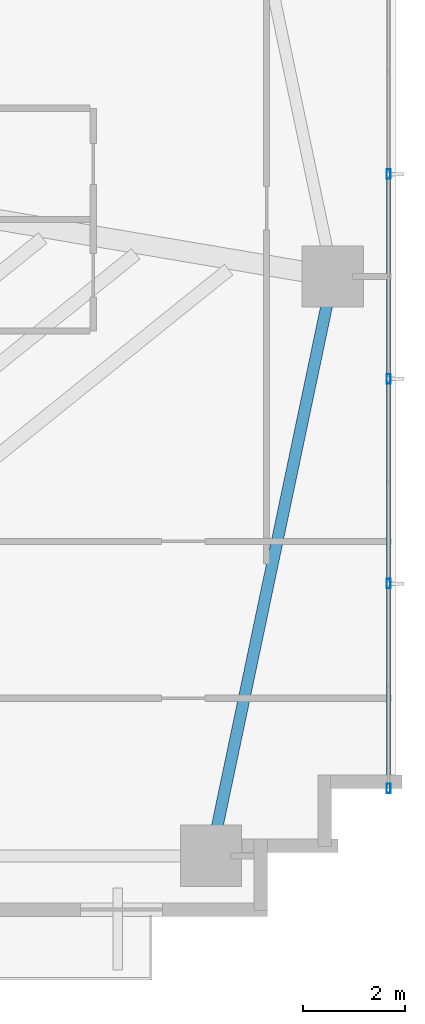
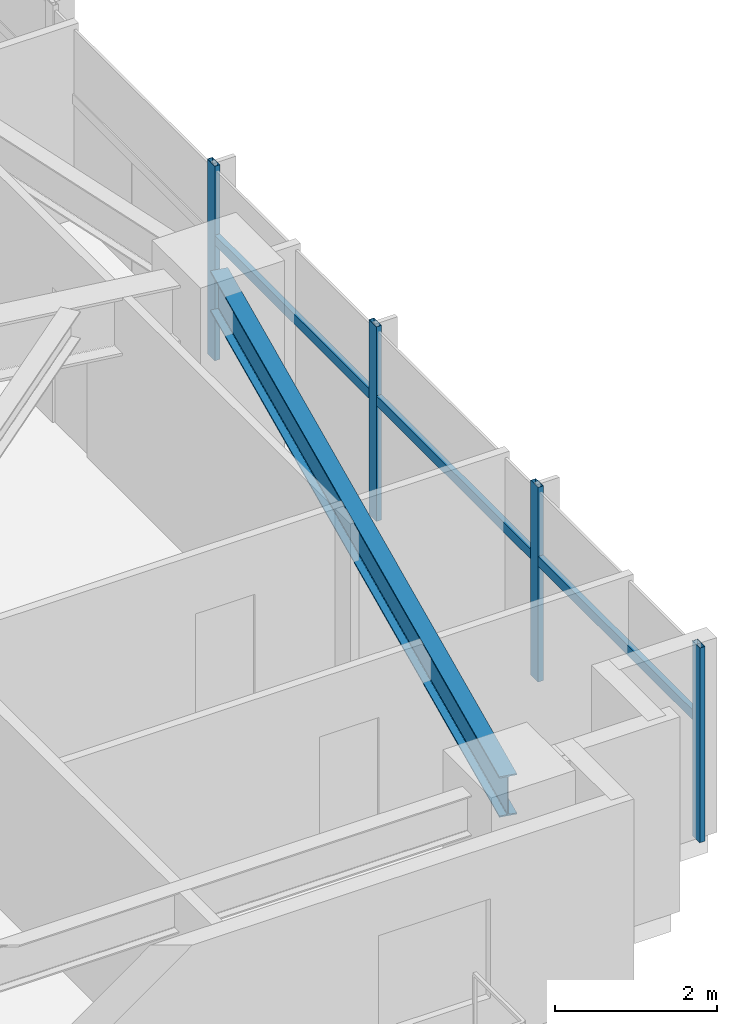
# One storey, part 14 of 25: 7 members, 1 beam, 1 element without a shape of its own.
"""IFC4 building model written with IfcOpenShell, lengths in metres."""

from ifc_helpers import new_model, si_unit, direction, frame, origin, origin_2d, place, context, subcontext, project, spatial, hollow_rectangle, i_section, extrude, source, transform, mapped, material, material_profile, profile_set, type_object, type_shapes, element, aggregate, save


model = new_model("IFC4")

# Units and contexts
model_context = context("Model", 3, precision=1e-05, world=origin(), true_north=direction((0.0, 1.0)))
body_context = subcontext(model_context, "Body", "Model", "MODEL_VIEW")
ifc_project = project(units=[si_unit("LENGTHUNIT", "METRE"), si_unit("AREAUNIT", "SQUARE_METRE"), si_unit("VOLUMEUNIT", "CUBIC_METRE"), si_unit("PLANEANGLEUNIT", "RADIAN"), si_unit("MASSUNIT", "GRAM", prefix="KILO")], contexts=[model_context])

# Site, building, storey
site_placement = place(None, origin())
site = spatial("IfcSite", under=ifc_project, at=site_placement, CompositionType="ELEMENT")
building_placement = place(site_placement, origin())
building = spatial("IfcBuilding", under=site, at=building_placement, Name="Astriad Promenade Condominiums", CompositionType="ELEMENT")
storey_placement = place(building_placement, frame((0.0, 0.0, 58.199951171875)))
storey = spatial("IfcBuildingStorey", under=building, at=storey_placement, Name="L16", CompositionType="ELEMENT", Elevation=58.199951171875)

# Beam
ifc_material_1 = material(Name="Steel ASTM A992 Grade 50", Category="steel")
ifc_material_profile_1 = material_profile(ifc_material_1, i_section(OverallWidth=0.22900390625, OverallDepth=0.612060546875, WebThickness=0.011962890625, FlangeThickness=0.01953125, FilletRadius=0.017822265625, at=origin_2d()), Name="W24X84")
ifc_profile_set_1 = profile_set([ifc_material_profile_1], Name="Steel ASTM A992 Grade 50")
beam_type = type_object("IfcBeamType", Name="STEEL SPANDREL BEAM W24X84", PredefinedType="SPANDREL", material=ifc_profile_set_1)
shared_shape_1 = source(origin(), body_context, "Body", "SweptSolid", [
    extrude(i_section(OverallWidth=0.22900390625, OverallDepth=0.612060546875, WebThickness=0.011962890625, FlangeThickness=0.01953125, FilletRadius=0.017822265625, at=origin_2d()), origin(), (0.0, 0.0, 1.0), 11.487548828125),
])
type_shapes(beam_type, [shared_shape_1])
beam_placement = place(storey_placement, frame((56.208251953125, 3.919189453125, 2.634033203125), z_axis=(0.205748055501, 0.978604995725, 0.0), x_axis=(-0.978604995725, 0.205748055501, 0.0)))
element("IfcBeam", 1, at=beam_placement, inside=storey, type_object=beam_type, Name="Perimeter Spandrel Beam SP-E1-L16", PredefinedType="SPANDREL", context=body_context, shape_type="MappedRepresentation", body=[
    mapped(shared_shape_1, transform((0.0, 0.0, 0.0), scale=1.0)),
])

# Curtain wall, members
ifc_material_2 = material(Name="Anodised aluminium Black Dark Glass Unitised", Category="aluminium")
curtain_wall_type = type_object("IfcCurtainWallType", Name="CW-B1-DARK", PredefinedType="USERDEFINED", material=ifc_material_2)
curtain_wall_placement = place(storey_placement, origin())
curtain_wall = element("IfcCurtainWall", 2, at=curtain_wall_placement, inside=storey, type_object=curtain_wall_type, Name="CW-L16-E", ObjectType="UNITISED_CURTAIN_WALL", PredefinedType="USERDEFINED")
ifc_material_3 = material(Name="Anodised aluminium 6063-T6 Black", Category="aluminium")
ifc_material_profile_2 = material_profile(ifc_material_3, hollow_rectangle(XDim=0.074951171875, YDim=0.18505859375, WallThickness=0.00439453125, at=origin_2d()), Name="ALU-MUL-75X185")
ifc_profile_set_2 = profile_set([ifc_material_profile_2], Name="Anodised aluminium 6063-T6 Black")
member_type_1 = type_object("IfcMemberType", Name="MUL-ALU-MUL-75X185", PredefinedType="MULLION", material=ifc_profile_set_2)
shared_shape_2 = source(origin(), body_context, "Body", "SweptSolid", [
    extrude(hollow_rectangle(XDim=0.074951171875, YDim=0.18505859375, WallThickness=0.00439453125, at=origin_2d()), origin(), (0.0, 0.0, 1.0), 2.93994140625),
])
type_shapes(member_type_1, [shared_shape_2])
member_1_placement = place(storey_placement, frame((59.669921875, 17.199951171875, 0.0), z_axis=(0.0, 0.0, 1.0), x_axis=(1.0, 0.0, 0.0)))
member_1 = element("IfcMember", 3, at=member_1_placement, type_object=member_type_1, Name="CW-L16-E-MUL-02", PredefinedType="MULLION", context=body_context, shape_type="MappedRepresentation", body=[
    mapped(shared_shape_2, transform((0.0, 0.0, 0.0), scale=1.0)),
])
member_2_placement = place(storey_placement, frame((59.669921875, 13.199951171875, 0.0), z_axis=(0.0, 0.0, 1.0), x_axis=(1.0, 0.0, 0.0)))
member_2 = element("IfcMember", 4, at=member_2_placement, type_object=member_type_1, Name="CW-L16-E-MUL-03", PredefinedType="MULLION", context=body_context, shape_type="MappedRepresentation", body=[
    mapped(shared_shape_2, transform((0.0, 0.0, 0.0), scale=1.0)),
])
member_3_placement = place(storey_placement, frame((59.669921875, 9.199951171875, 0.0), z_axis=(0.0, 0.0, 1.0), x_axis=(1.0, 0.0, 0.0)))
member_3 = element("IfcMember", 5, at=member_3_placement, type_object=member_type_1, Name="CW-L16-E-MUL-04", PredefinedType="MULLION", context=body_context, shape_type="MappedRepresentation", body=[
    mapped(shared_shape_2, transform((0.0, 0.0, 0.0), scale=1.0)),
])
member_4_placement = place(storey_placement, frame((59.669921875, 5.199951171875, 0.0), z_axis=(0.0, 0.0, 1.0), x_axis=(1.0, 0.0, 0.0)))
member_4 = element("IfcMember", 6, at=member_4_placement, type_object=member_type_1, Name="CW-L16-E-MUL-05", PredefinedType="MULLION", context=body_context, shape_type="MappedRepresentation", body=[
    mapped(shared_shape_2, transform((0.0, 0.0, 0.0), scale=1.0)),
])
ifc_material_profile_3 = material_profile(ifc_material_3, hollow_rectangle(XDim=0.074951171875, YDim=0.14990234375, WallThickness=0.004150390625, at=origin_2d()), Name="ALU-TRN-75X150")
ifc_profile_set_3 = profile_set([ifc_material_profile_3], Name="Anodised aluminium 6063-T6 Black")
member_type_2 = type_object("IfcMemberType", Name="TRN-ALU-TRN-75X150", PredefinedType="USERDEFINED", material=ifc_profile_set_3)
shared_shape_3 = source(origin(), body_context, "Body", "SweptSolid", [
    extrude(hollow_rectangle(XDim=0.074951171875, YDim=0.14990234375, WallThickness=0.004150390625, at=origin_2d()), origin(), (0.0, 0.0, 1.0), 4.0),
])
type_shapes(member_type_2, [shared_shape_3])
member_5_placement = place(storey_placement, frame((59.669921875, 17.199951171875, 1.82275390625), z_axis=(0.0, -1.0, 0.0), x_axis=(1.0, 0.0, 0.0)))
member_5 = element("IfcMember", 7, at=member_5_placement, type_object=member_type_2, Name="CW-L16-E-TRN-02-0", ObjectType="TRANSOM", PredefinedType="USERDEFINED", context=body_context, shape_type="MappedRepresentation", body=[
    mapped(shared_shape_3, transform((0.0, 0.0, 0.0), scale=1.0)),
])
member_6_placement = place(storey_placement, frame((59.669921875, 13.199951171875, 1.82275390625), z_axis=(0.0, -1.0, 0.0), x_axis=(1.0, 0.0, 0.0)))
member_6 = element("IfcMember", 8, at=member_6_placement, type_object=member_type_2, Name="CW-L16-E-TRN-03-0", ObjectType="TRANSOM", PredefinedType="USERDEFINED", context=body_context, shape_type="MappedRepresentation", body=[
    mapped(shared_shape_3, transform((0.0, 0.0, 0.0), scale=1.0)),
])
member_7_placement = place(storey_placement, frame((59.669921875, 9.199951171875, 1.82275390625), z_axis=(0.0, -1.0, 0.0), x_axis=(1.0, 0.0, 0.0)))
member_7 = element("IfcMember", 9, at=member_7_placement, type_object=member_type_2, Name="CW-L16-E-TRN-04-0", ObjectType="TRANSOM", PredefinedType="USERDEFINED", context=body_context, shape_type="MappedRepresentation", body=[
    mapped(shared_shape_3, transform((0.0, 0.0, 0.0), scale=1.0)),
])
aggregate(curtain_wall, [member_1, member_2, member_3, member_4, member_5, member_6, member_7])

save(model, "model.ifc")
